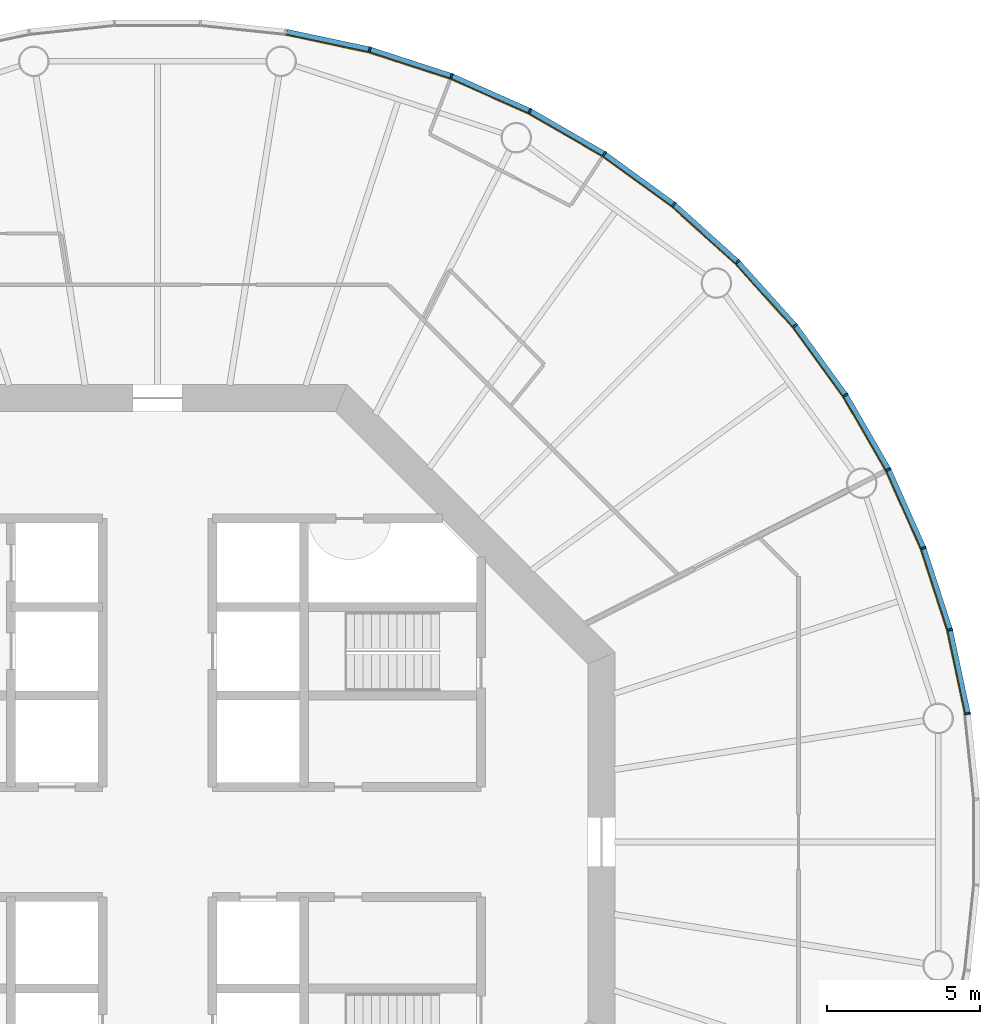
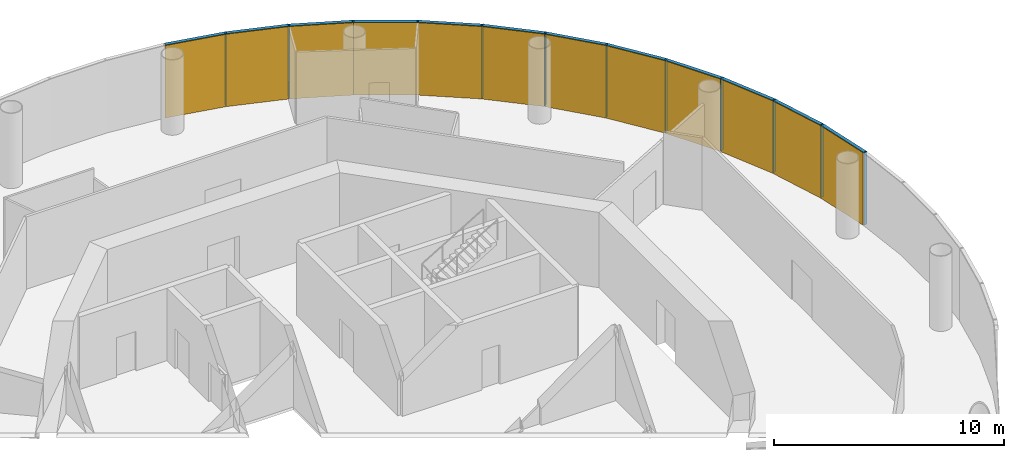
# One storey, part 11 of 12: 24 members, 4 curtain walls.
"""IFC4 building model written with IfcOpenShell, lengths in metres."""

from ifc_helpers import new_model, si_unit, direction, frame, origin, origin_2d, place, context, subcontext, project, spatial, polyline, rectangle, outline, extrude, material, layer, layer_set, material_profile, profile_set, type_object, element, aggregate, save


model = new_model("IFC4")

# Units and contexts
model_context = context("Model", 3, precision=1e-05, world=origin(), true_north=direction((0.0, 1.0)))
body_context = subcontext(model_context, "Body", "Model", "MODEL_VIEW")
ifc_project = project(units=[si_unit("LENGTHUNIT", "METRE"), si_unit("AREAUNIT", "SQUARE_METRE"), si_unit("VOLUMEUNIT", "CUBIC_METRE"), si_unit("PLANEANGLEUNIT", "RADIAN"), si_unit("MASSUNIT", "GRAM", prefix="KILO")], contexts=[model_context])

# Member
ifc_material_1 = material(Name="Anodised aluminium", Category="aluminium")
ifc_material_profile_1 = material_profile(ifc_material_1, rectangle(XDim=0.06005859375, YDim=0.169921875, at=origin_2d()), Name="Mullion 60 x 170 mm anodised aluminium")
ifc_profile_set_1 = profile_set([ifc_material_profile_1], Name="Anodised aluminium")
member_type_1 = type_object("IfcMemberType", Name="Mullion 60 x 170 mm anodised aluminium", PredefinedType="MULLION", material=ifc_profile_set_1)
site_placement = place(None, origin())
building_placement = place(site_placement, origin())
storey_placement = place(building_placement, frame((0.0, 0.0, 254.0)))
member_1_placement = place(storey_placement, frame((116.553955078125, 84.205810546875, 0.0), z_axis=(0.0, 0.0, 1.0), x_axis=(-0.15643446504, 0.987688340595, 0.0)))
member_1 = element("IfcMember", 1, at=member_1_placement, type_object=member_type_1, Name="MULLION L58-00", PredefinedType="MULLION", context=body_context, shape_type="SweptSolid", body=[
    extrude(rectangle(XDim=0.06005859375, YDim=0.169921875, at=origin_2d()), origin(), (0.0, 0.0, 1.0), 3.85009765625),
])

member_2_placement = place(storey_placement, frame((115.968994140625, 86.958251953125, 0.0), z_axis=(0.0, 0.0, 1.0), x_axis=(-0.258819045103, 0.965925826289, 0.0)))
member_2 = element("IfcMember", 2, at=member_2_placement, type_object=member_type_1, Name="MULLION L58-01", PredefinedType="MULLION", context=body_context, shape_type="SweptSolid", body=[
    extrude(rectangle(XDim=0.06005859375, YDim=0.169921875, at=origin_2d()), origin(), (0.0, 0.0, 1.0), 3.85009765625),
])

member_3_placement = place(storey_placement, frame((115.099365234375, 89.634765625, 0.0), z_axis=(0.0, 0.0, 1.0), x_axis=(-0.358367949545, 0.933580426497, 0.0)))
member_3 = element("IfcMember", 3, at=member_3_placement, type_object=member_type_1, Name="MULLION L58-02", PredefinedType="MULLION", context=body_context, shape_type="SweptSolid", body=[
    extrude(rectangle(XDim=0.06005859375, YDim=0.169921875, at=origin_2d()), origin(), (0.0, 0.0, 1.0), 3.85009765625),
])

member_4_placement = place(storey_placement, frame((113.95458984375, 92.20556640625, 0.0), z_axis=(0.0, 0.0, 1.0), x_axis=(-0.45399049974, 0.891006524188, 0.0)))
member_4 = element("IfcMember", 4, at=member_4_placement, type_object=member_type_1, Name="MULLION L58-03", PredefinedType="MULLION", context=body_context, shape_type="SweptSolid", body=[
    extrude(rectangle(XDim=0.06005859375, YDim=0.169921875, at=origin_2d()), origin(), (0.0, 0.0, 1.0), 3.85009765625),
])

member_5_placement = place(storey_placement, frame((112.547607421875, 94.642578125, 0.0), z_axis=(0.0, 0.0, 1.0), x_axis=(-0.544639035015, 0.838670567945, 0.0)))
member_5 = element("IfcMember", 5, at=member_5_placement, type_object=member_type_1, Name="MULLION L58-04", PredefinedType="MULLION", context=body_context, shape_type="SweptSolid", body=[
    extrude(rectangle(XDim=0.06005859375, YDim=0.169921875, at=origin_2d()), origin(), (0.0, 0.0, 1.0), 3.85009765625),
])

member_6_placement = place(storey_placement, frame((110.8935546875, 96.919189453125, 0.0), z_axis=(0.0, 0.0, 1.0), x_axis=(-0.62932039105, 0.777145961457, 0.0)))
member_6 = element("IfcMember", 6, at=member_6_placement, type_object=member_type_1, Name="MULLION L58-05", PredefinedType="MULLION", context=body_context, shape_type="SweptSolid", body=[
    extrude(rectangle(XDim=0.06005859375, YDim=0.169921875, at=origin_2d()), origin(), (0.0, 0.0, 1.0), 3.85009765625),
])

member_7_placement = place(storey_placement, frame((109.010498046875, 99.010498046875, 0.0), z_axis=(0.0, 0.0, 1.0), x_axis=(-0.707106781187, 0.707106781187, 0.0)))
member_7 = element("IfcMember", 7, at=member_7_placement, type_object=member_type_1, Name="MULLION L58-06", PredefinedType="MULLION", context=body_context, shape_type="SweptSolid", body=[
    extrude(rectangle(XDim=0.06005859375, YDim=0.169921875, at=origin_2d()), origin(), (0.0, 0.0, 1.0), 3.85009765625),
])

member_8_placement = place(storey_placement, frame((106.919189453125, 100.8935546875, 0.0), z_axis=(0.0, 0.0, 1.0), x_axis=(-0.777145961457, 0.62932039105, 0.0)))
member_8 = element("IfcMember", 8, at=member_8_placement, type_object=member_type_1, Name="MULLION L58-07", PredefinedType="MULLION", context=body_context, shape_type="SweptSolid", body=[
    extrude(rectangle(XDim=0.06005859375, YDim=0.169921875, at=origin_2d()), origin(), (0.0, 0.0, 1.0), 3.85009765625),
])

member_9_placement = place(storey_placement, frame((104.642578125, 102.547607421875, 0.0), z_axis=(0.0, 0.0, 1.0), x_axis=(-0.838670567945, 0.544639035015, 0.0)))
member_9 = element("IfcMember", 9, at=member_9_placement, type_object=member_type_1, Name="MULLION L58-08", PredefinedType="MULLION", context=body_context, shape_type="SweptSolid", body=[
    extrude(rectangle(XDim=0.06005859375, YDim=0.169921875, at=origin_2d()), origin(), (0.0, 0.0, 1.0), 3.85009765625),
])

member_10_placement = place(storey_placement, frame((102.20556640625, 103.95458984375, 0.0), z_axis=(0.0, 0.0, 1.0), x_axis=(-0.891006524188, 0.45399049974, 0.0)))
member_10 = element("IfcMember", 10, at=member_10_placement, type_object=member_type_1, Name="MULLION L58-09", PredefinedType="MULLION", context=body_context, shape_type="SweptSolid", body=[
    extrude(rectangle(XDim=0.06005859375, YDim=0.169921875, at=origin_2d()), origin(), (0.0, 0.0, 1.0), 3.85009765625),
])

member_11_placement = place(storey_placement, frame((99.634765625, 105.099365234375, 0.0), z_axis=(0.0, 0.0, 1.0), x_axis=(-0.933580426497, 0.358367949545, 0.0)))
member_11 = element("IfcMember", 11, at=member_11_placement, type_object=member_type_1, Name="MULLION L58-10", PredefinedType="MULLION", context=body_context, shape_type="SweptSolid", body=[
    extrude(rectangle(XDim=0.06005859375, YDim=0.169921875, at=origin_2d()), origin(), (0.0, 0.0, 1.0), 3.85009765625),
])

member_12_placement = place(storey_placement, frame((96.958251953125, 105.968994140625, 0.0), z_axis=(0.0, 0.0, 1.0), x_axis=(-0.965925826289, 0.258819045103, 0.0)))
member_12 = element("IfcMember", 12, at=member_12_placement, type_object=member_type_1, Name="MULLION L58-11", PredefinedType="MULLION", context=body_context, shape_type="SweptSolid", body=[
    extrude(rectangle(XDim=0.06005859375, YDim=0.169921875, at=origin_2d()), origin(), (0.0, 0.0, 1.0), 3.85009765625),
])

ifc_material_2 = material(Name="Anodised aluminium", Category="aluminium")
ifc_material_profile_2 = material_profile(ifc_material_2, rectangle(XDim=0.169921875, YDim=0.1650390625, at=origin_2d()), Name="Transom 165 x 170 mm anodised aluminium")
ifc_profile_set_2 = profile_set([ifc_material_profile_2], Name="Anodised aluminium")
member_type_2 = type_object("IfcMemberType", Name="Transom 165 x 170 mm anodised aluminium", PredefinedType="USERDEFINED", material=ifc_profile_set_2)
member_13_placement = place(storey_placement, frame((116.546875, 84.239501953125, 3.767578125), z_axis=(-0.207937468562, 0.97814212115, 0.0), x_axis=(-0.97814212115, -0.207937468562, 0.0)))
member_13 = element("IfcMember", 13, at=member_13_placement, type_object=member_type_2, Name="TRANSOM L58-00", ObjectType="TRANSOM", PredefinedType="USERDEFINED", context=body_context, shape_type="SweptSolid", body=[
    extrude(rectangle(XDim=0.169921875, YDim=0.1650390625, at=origin_2d()), origin(), (0.0, 0.0, 1.0), 2.7451171875),
])

member_14_placement = place(storey_placement, frame((115.95849609375, 86.9912109375, 3.767578125), z_axis=(-0.309041831781, 0.951048445774, 0.0), x_axis=(-0.951048445774, -0.309041831781, 0.0)))
member_14 = element("IfcMember", 14, at=member_14_placement, type_object=member_type_2, Name="TRANSOM L58-01", ObjectType="TRANSOM", PredefinedType="USERDEFINED", context=body_context, shape_type="SweptSolid", body=[
    extrude(rectangle(XDim=0.169921875, YDim=0.1650390625, at=origin_2d()), origin(), (0.0, 0.0, 1.0), 2.7451171875),
])

member_15_placement = place(storey_placement, frame((115.08544921875, 89.666259765625, 3.767578125), z_axis=(-0.406781987391, 0.913525267704, 0.0), x_axis=(-0.913525267704, -0.406781987391, 0.0)))
member_15 = element("IfcMember", 15, at=member_15_placement, type_object=member_type_2, Name="TRANSOM L58-02", ObjectType="TRANSOM", PredefinedType="USERDEFINED", context=body_context, shape_type="SweptSolid", body=[
    extrude(rectangle(XDim=0.169921875, YDim=0.1650390625, at=origin_2d()), origin(), (0.0, 0.0, 1.0), 2.7451171875),
])

member_16_placement = place(storey_placement, frame((113.9375, 92.2353515625, 3.767578125), z_axis=(-0.49998419723, 0.866034527326, 0.0), x_axis=(-0.866034527326, -0.49998419723, 0.0)))
member_16 = element("IfcMember", 16, at=member_16_placement, type_object=member_type_2, Name="TRANSOM L58-03", ObjectType="TRANSOM", PredefinedType="USERDEFINED", context=body_context, shape_type="SweptSolid", body=[
    extrude(rectangle(XDim=0.169921875, YDim=0.1650390625, at=origin_2d()), origin(), (0.0, 0.0, 1.0), 2.7451171875),
])

member_17_placement = place(storey_placement, frame((112.527587890625, 94.670654296875, 3.767578125), z_axis=(-0.587864947412, 0.808959086484, 0.0), x_axis=(-0.808959086484, -0.587864947412, 0.0)))
member_17 = element("IfcMember", 17, at=member_17_placement, type_object=member_type_2, Name="TRANSOM L58-04", ObjectType="TRANSOM", PredefinedType="USERDEFINED", context=body_context, shape_type="SweptSolid", body=[
    extrude(rectangle(XDim=0.169921875, YDim=0.1650390625, at=origin_2d()), origin(), (0.0, 0.0, 1.0), 2.7451171875),
])

member_18_placement = place(storey_placement, frame((110.87060546875, 96.945068359375, 3.767578125), z_axis=(-0.669141598561, 0.743134927907, 0.0), x_axis=(-0.743134927907, -0.669141598561, 0.0)))
member_18 = element("IfcMember", 18, at=member_18_placement, type_object=member_type_2, Name="TRANSOM L58-05", ObjectType="TRANSOM", PredefinedType="USERDEFINED", context=body_context, shape_type="SweptSolid", body=[
    extrude(rectangle(XDim=0.169921875, YDim=0.1650390625, at=origin_2d()), origin(), (0.0, 0.0, 1.0), 2.7451171875),
])

member_19_placement = place(storey_placement, frame((108.985107421875, 99.03369140625, 3.767578125), z_axis=(-0.743134927907, 0.669141598561, 0.0), x_axis=(-0.669141598561, -0.743134927907, 0.0)))
member_19 = element("IfcMember", 19, at=member_19_placement, type_object=member_type_2, Name="TRANSOM L58-06", ObjectType="TRANSOM", PredefinedType="USERDEFINED", context=body_context, shape_type="SweptSolid", body=[
    extrude(rectangle(XDim=0.169921875, YDim=0.1650390625, at=origin_2d()), origin(), (0.0, 0.0, 1.0), 2.7451171875),
])

member_20_placement = place(storey_placement, frame((106.891357421875, 100.913818359375, 3.767578125), z_axis=(-0.808959086484, 0.587864947412, 0.0), x_axis=(-0.587864947412, -0.808959086484, 0.0)))
member_20 = element("IfcMember", 20, at=member_20_placement, type_object=member_type_2, Name="TRANSOM L58-07", ObjectType="TRANSOM", PredefinedType="USERDEFINED", context=body_context, shape_type="SweptSolid", body=[
    extrude(rectangle(XDim=0.169921875, YDim=0.1650390625, at=origin_2d()), origin(), (0.0, 0.0, 1.0), 2.7451171875),
])

member_21_placement = place(storey_placement, frame((104.61279296875, 102.56494140625, 3.767578125), z_axis=(-0.866034527326, 0.49998419723, 0.0), x_axis=(-0.49998419723, -0.866034527326, 0.0)))
member_21 = element("IfcMember", 21, at=member_21_placement, type_object=member_type_2, Name="TRANSOM L58-08", ObjectType="TRANSOM", PredefinedType="USERDEFINED", context=body_context, shape_type="SweptSolid", body=[
    extrude(rectangle(XDim=0.169921875, YDim=0.1650390625, at=origin_2d()), origin(), (0.0, 0.0, 1.0), 2.7451171875),
])

member_22_placement = place(storey_placement, frame((102.174072265625, 103.96875, 3.767578125), z_axis=(-0.913525267704, 0.406781987391, 0.0), x_axis=(-0.406781987391, -0.913525267704, 0.0)))
member_22 = element("IfcMember", 22, at=member_22_placement, type_object=member_type_2, Name="TRANSOM L58-09", ObjectType="TRANSOM", PredefinedType="USERDEFINED", context=body_context, shape_type="SweptSolid", body=[
    extrude(rectangle(XDim=0.169921875, YDim=0.1650390625, at=origin_2d()), origin(), (0.0, 0.0, 1.0), 2.7451171875),
])

member_23_placement = place(storey_placement, frame((99.60205078125, 105.110107421875, 3.767578125), z_axis=(-0.951048445774, 0.309041831781, 0.0), x_axis=(-0.309041831781, -0.951048445774, 0.0)))
member_23 = element("IfcMember", 23, at=member_23_placement, type_object=member_type_2, Name="TRANSOM L58-10", ObjectType="TRANSOM", PredefinedType="USERDEFINED", context=body_context, shape_type="SweptSolid", body=[
    extrude(rectangle(XDim=0.169921875, YDim=0.1650390625, at=origin_2d()), origin(), (0.0, 0.0, 1.0), 2.7451171875),
])

member_24_placement = place(storey_placement, frame((96.924560546875, 105.97607421875, 3.767578125), z_axis=(-0.97814212115, 0.207937468562, 0.0), x_axis=(-0.207937468562, -0.97814212115, 0.0)))
member_24 = element("IfcMember", 24, at=member_24_placement, type_object=member_type_2, Name="TRANSOM L58-11", ObjectType="TRANSOM", PredefinedType="USERDEFINED", context=body_context, shape_type="SweptSolid", body=[
    extrude(rectangle(XDim=0.169921875, YDim=0.1650390625, at=origin_2d()), origin(), (0.0, 0.0, 1.0), 2.7451171875),
])

# Site, building, storey
site = spatial("IfcSite", under=ifc_project, at=site_placement, CompositionType="ELEMENT")
building = spatial("IfcBuilding", under=site, at=building_placement, Name="Entoto Ring Tower", CompositionType="ELEMENT")
storey = spatial("IfcBuildingStorey", under=building, at=storey_placement, Name="L58", CompositionType="ELEMENT", Elevation=254.0)

# Curtain wall
ifc_material_3 = material(Name="Clear low-iron glass", Category="glass")
ifc_layer = layer(ifc_material_3, 0.031982421875)
ifc_layer_set = layer_set([ifc_layer], Name="Clear low-iron glass")
curtain_wall_type = type_object("IfcCurtainWallType", Name="Curtain wall system CW4 glazing 32 mm", PredefinedType="NOTDEFINED", material=ifc_layer_set)
curtain_wall_1_placement = place(storey_placement, origin())
curtain_wall_1 = element("IfcCurtainWall", 25, at=curtain_wall_1_placement, inside=storey, type_object=curtain_wall_type, Name="CW4 L58-01", PredefinedType="NOTDEFINED", context=body_context, shape_type="SweptSolid", body=[
    extrude(outline(polyline([(116.469970703125, 84.1923828125), (115.88671875, 86.936279296875), (115.02001953125, 89.604248046875), (113.87890625, 92.1669921875), (113.850341796875, 92.15234375), (114.989990234375, 89.5927734375), (115.85595703125, 86.927978515625), (116.4384765625, 84.1875), (116.469970703125, 84.1923828125)])), origin(), (0.0, 0.0, 1.0), 3.85009765625),
])

aggregate(curtain_wall_1, [member_1, member_2, member_3, member_13, member_14, member_15])

curtain_wall_2_placement = place(storey_placement, origin())
curtain_wall_2 = element("IfcCurtainWall", 26, at=curtain_wall_2_placement, inside=storey, type_object=curtain_wall_type, Name="CW4 L58-02", PredefinedType="NOTDEFINED", context=body_context, shape_type="SweptSolid", body=[
    extrude(outline(polyline([(113.87890625, 92.1669921875), (112.476318359375, 94.596435546875), (110.827392578125, 96.86572265625), (108.950439453125, 98.950439453125), (108.927734375, 98.927734375), (110.802490234375, 96.845703125), (112.449462890625, 94.578857421875), (113.850341796875, 92.15234375), (113.87890625, 92.1669921875)])), origin(), (0.0, 0.0, 1.0), 3.85009765625),
])

aggregate(curtain_wall_2, [member_4, member_5, member_6, member_16, member_17, member_18])

curtain_wall_3_placement = place(storey_placement, origin())
curtain_wall_3 = element("IfcCurtainWall", 27, at=curtain_wall_3_placement, inside=storey, type_object=curtain_wall_type, Name="CW4 L58-03", PredefinedType="NOTDEFINED", context=body_context, shape_type="SweptSolid", body=[
    extrude(outline(polyline([(108.950439453125, 98.950439453125), (106.86572265625, 100.827392578125), (104.596435546875, 102.476318359375), (102.1669921875, 103.87890625), (102.15234375, 103.850341796875), (104.578857421875, 102.449462890625), (106.845703125, 100.802490234375), (108.927734375, 98.927734375), (108.950439453125, 98.950439453125)])), origin(), (0.0, 0.0, 1.0), 3.85009765625),
])

aggregate(curtain_wall_3, [member_7, member_8, member_9, member_19, member_20, member_21])

curtain_wall_4_placement = place(storey_placement, origin())
curtain_wall_4 = element("IfcCurtainWall", 28, at=curtain_wall_4_placement, inside=storey, type_object=curtain_wall_type, Name="CW4 L58-04", PredefinedType="NOTDEFINED", context=body_context, shape_type="SweptSolid", body=[
    extrude(outline(polyline([(102.1669921875, 103.87890625), (99.604248046875, 105.02001953125), (96.936279296875, 105.88671875), (94.1923828125, 106.469970703125), (94.1875, 106.4384765625), (96.927978515625, 105.85595703125), (99.5927734375, 104.989990234375), (102.15234375, 103.850341796875), (102.1669921875, 103.87890625)])), origin(), (0.0, 0.0, 1.0), 3.85009765625),
])

aggregate(curtain_wall_4, [member_10, member_11, member_12, member_22, member_23, member_24])

save(model, "model.ifc")
